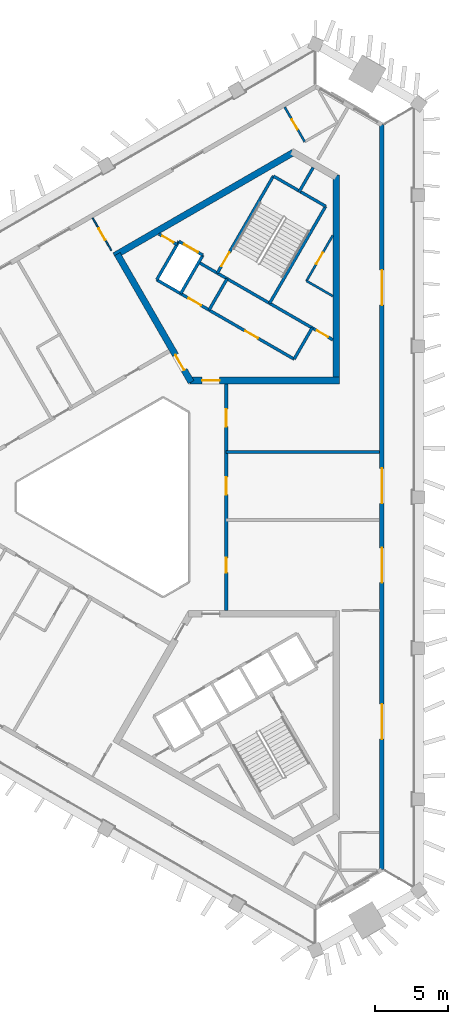
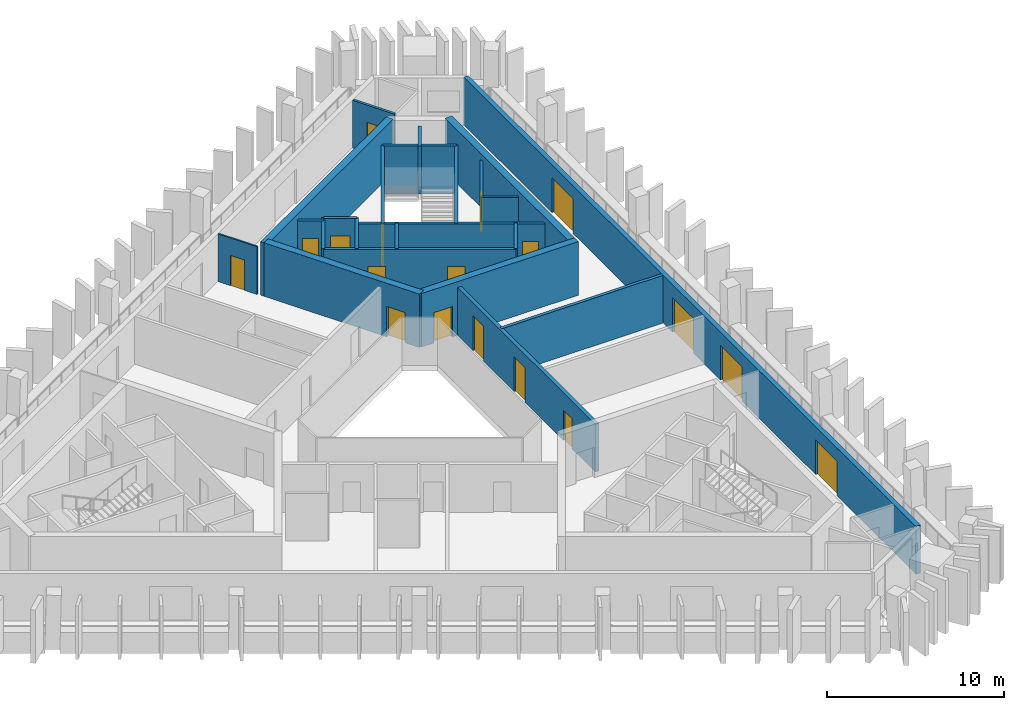
# One storey, part 5 of 9: 23 walls, 18 doors, 18 openings.
"""IFC4 building model written with IfcOpenShell, lengths in metres."""

from ifc_helpers import new_model, si_unit, direction, frame, frame_2d, origin, place, context, subcontext, project, spatial, rectangle, extrude, material, layer, layer_set, type_object, element, fill, save


model = new_model("IFC4")

# Units and contexts
model_context = context("Model", 3, precision=1e-05, world=origin(), true_north=direction((0.0, 1.0)))
body_context = subcontext(model_context, "Body", "Model", "MODEL_VIEW")
ifc_project = project(units=[si_unit("LENGTHUNIT", "METRE"), si_unit("AREAUNIT", "SQUARE_METRE"), si_unit("VOLUMEUNIT", "CUBIC_METRE"), si_unit("PLANEANGLEUNIT", "RADIAN"), si_unit("MASSUNIT", "GRAM", prefix="KILO")], contexts=[model_context])

# Site, building, storey
site_placement = place(None, origin())
site = spatial("IfcSite", under=ifc_project, at=site_placement, CompositionType="ELEMENT")
building_placement = place(site_placement, origin())
building = spatial("IfcBuilding", under=site, at=building_placement, Name="Jabali Bay Hotel Tower and Convention Centre", CompositionType="ELEMENT")
storey_placement = place(building_placement, frame((0.0, 0.0, 213.199951171875)))
storey = spatial("IfcBuildingStorey", under=building, at=storey_placement, Name="L52", CompositionType="ELEMENT", Elevation=213.199951171875)

# Wall
ifc_material_1 = material(Name="Concrete C40", Category="concrete")
ifc_layer_1 = layer(ifc_material_1, 0.199951171875)
ifc_layer_set_1 = layer_set([ifc_layer_1], Name="Concrete C40")
wall_type_1 = type_object("IfcWallType", Name="Core partition wall 200", PredefinedType="PARTITIONING", material=ifc_layer_set_1)
wall_1_placement = place(storey_placement, frame((87.090087890625, 100.9404296875, 0.0), z_axis=(0.0, 0.0, 1.0), x_axis=(0.500011643316, 0.866018681408, 0.0)))
element("IfcWall", 1, at=wall_1_placement, inside=storey, type_object=wall_type_1, Name="Core wall 1.3 L52", PredefinedType="PARTITIONING", context=body_context, shape_type="SweptSolid", body=[
    extrude(rectangle(XDim=1.97314453125, YDim=0.199951171875, at=frame_2d((0.986572265625, 0.0))), origin(), (0.0, 0.0, 1.0), 3.300048828125),
])

# Wall, opening, door
wall_2_placement = place(storey_placement, frame((78.730224609375, 97.36083984375, 0.0), z_axis=(0.0, 0.0, 1.0), x_axis=(-0.866045896294, 0.499964504253, 0.0)))
wall_2 = element("IfcWall", 2, at=wall_2_placement, inside=storey, type_object=wall_type_1, Name="Core wall 1.10 L52", PredefinedType="PARTITIONING", context=body_context, shape_type="SweptSolid", body=[
    extrude(rectangle(XDim=1.455078125, YDim=0.199951171875, at=frame_2d((0.7275390625, 0.0))), origin(), (0.0, 0.0, 1.0), 3.300048828125),
])
opening_1_placement = place(wall_2_placement, frame((0.277587890625, 0.0, 0.0)))
opening_1 = element("IfcOpeningElement", 3, at=opening_1_placement, cuts=wall_2, Name="Opening D1130", PredefinedType="OPENING", context=body_context, shape_type="SweptSolid", body=[
    extrude(rectangle(XDim=0.89990234375, YDim=2.10009765625, at=frame_2d((0.449951171875, 1.050048828125))), frame((0.0, 0.1103515625, 0.0), z_axis=(0.0, -1.0, 0.0), x_axis=(1.0, 0.0, 0.0)), (0.0, 0.0, 1.0), 0.220947265625),
])
ifc_material_2 = material(Name="Fire-rated steel door", Category="steel")
door_type_1 = type_object("IfcDoorType", Name="Vestibule fire door 900 x 2100", OperationType="NOTDEFINED", PredefinedType="NOTDEFINED", material=ifc_material_2)
door_1_placement = place(opening_1_placement, origin())
door_1 = element("IfcDoor", 4, at=door_1_placement, inside=storey, type_object=door_type_1, Name="Vestibule fire door D1130", OperationType="SINGLE_SWING_LEFT", OverallHeight=2.10009765625, OverallWidth=0.89990234375, PredefinedType="NOTDEFINED", context=body_context, shape_type="SweptSolid", body=[
    extrude(rectangle(XDim=0.89990234375, YDim=2.10009765625, at=frame_2d((0.449951171875, 1.050048828125))), frame((0.0, 0.02490234375, 0.0), z_axis=(0.0, -1.0, 0.0), x_axis=(1.0, 0.0, 0.0)), (0.0, 0.0, 1.0), 0.050048828125),
])
fill(opening_1, door_1)

ifc_material_3 = material(Name="Fire-rated board partition")
ifc_layer_2 = layer(ifc_material_3, 0.14990234375)
ifc_layer_set_2 = layer_set([ifc_layer_2], Name="Fire-rated board partition")
wall_type_2 = type_object("IfcWallType", Name="Core room partition 150", PredefinedType="PARTITIONING", material=ifc_layer_set_2)
wall_3_placement = place(storey_placement, frame((87.62109375, 94.8603515625, 0.0), z_axis=(0.0, 0.0, 1.0), x_axis=(0.499993116331, 0.866029378036, 0.0)))
wall_3 = element("IfcWall", 5, at=wall_3_placement, inside=storey, type_object=wall_type_2, Name="Core wall 1.1 L52", PredefinedType="PARTITIONING", context=body_context, shape_type="SweptSolid", body=[
    extrude(rectangle(XDim=3.61767578125, YDim=0.14990234375, at=frame_2d((1.808837890625, 0.0))), origin(), (0.0, 0.0, 1.0), 3.300048828125),
])
opening_2_placement = place(wall_3_placement, frame((1.33154296875, 0.0, 0.0)))
opening_2 = element("IfcOpeningElement", 6, at=opening_2_placement, cuts=wall_3, Name="Opening D1133", PredefinedType="OPENING", context=body_context, shape_type="SweptSolid", body=[
    extrude(rectangle(XDim=0.89990234375, YDim=2.10009765625, at=frame_2d((0.449951171875, 1.050048828125))), frame((0.0, 0.08544921875, 0.0), z_axis=(0.0, -1.0, 0.0), x_axis=(1.0, 0.0, 0.0)), (0.0, 0.0, 1.0), 0.1708984375),
])
door_type_2 = type_object("IfcDoorType", Name="Core room door 900 x 2100", OperationType="NOTDEFINED", PredefinedType="NOTDEFINED", material=ifc_material_2)
door_2_placement = place(opening_2_placement, origin())
door_2 = element("IfcDoor", 7, at=door_2_placement, inside=storey, type_object=door_type_2, Name="Core room door D1133", OperationType="SINGLE_SWING_LEFT", OverallHeight=2.10009765625, OverallWidth=0.89990234375, PredefinedType="NOTDEFINED", context=body_context, shape_type="SweptSolid", body=[
    extrude(rectangle(XDim=0.89990234375, YDim=2.10009765625, at=frame_2d((0.449951171875, 1.050048828125))), frame((0.0, 0.02490234375, 0.0), z_axis=(0.0, -1.0, 0.0), x_axis=(1.0, 0.0, 0.0)), (0.0, 0.0, 1.0), 0.050048828125),
])
fill(opening_2, door_2)

# Walls
wall_4_placement = place(storey_placement, frame((89.429931640625, 93.81591796875, 0.0), z_axis=(0.0, 0.0, 1.0), x_axis=(-0.866004557827, 0.500036104519, 0.0)))
element("IfcWall", 8, at=wall_4_placement, inside=storey, type_object=wall_type_2, Name="Core wall 1.12 L52", PredefinedType="PARTITIONING", context=body_context, shape_type="SweptSolid", body=[
    extrude(rectangle(XDim=2.088623046875, YDim=0.14990234375, at=frame_2d((1.04443359375, 0.0))), origin(), (0.0, 0.0, 1.0), 3.300048828125),
])
ifc_layer_3 = layer(ifc_material_1, 0.199951171875)
ifc_layer_set_3 = layer_set([ifc_layer_3], Name="Concrete C40")
wall_type_3 = type_object("IfcWallType", Name="Core stair wall 200", PredefinedType="SOLIDWALL", material=ifc_layer_set_3)
wall_5_placement = place(storey_placement, frame((86.769775390625, 89.48583984375, 0.0), z_axis=(0.0, 0.0, 1.0), x_axis=(0.499961042966, 0.86604789447, 0.0)))
element("IfcWall", 9, at=wall_5_placement, inside=storey, type_object=wall_type_3, Name="Core wall 1.0 L52", PredefinedType="SOLIDWALL", context=body_context, shape_type="SweptSolid", body=[
    extrude(rectangle(XDim=2.480224609375, YDim=0.199951171875, at=frame_2d((1.240234375, 0.0))), origin(), (0.0, 0.0, 1.0), 3.300048828125),
])
wall_6_placement = place(storey_placement, frame((85.0869140625, 93.3212890625, 0.0), z_axis=(0.0, 0.0, 1.0), x_axis=(0.500019787375, 0.866013979237, 0.0)))
element("IfcWall", 10, at=wall_6_placement, inside=storey, type_object=wall_type_3, Name="Core wall 1.2 L52", PredefinedType="SOLIDWALL", context=body_context, shape_type="SweptSolid", body=[
    extrude(rectangle(XDim=7.699951171875, YDim=0.199951171875, at=frame_2d((3.85009765625, 0.0))), origin(), (0.0, 0.0, 1.0), 3.300048828125),
])
wall_7_placement = place(storey_placement, frame((80.924072265625, 92.86083984375, 0.0), z_axis=(0.0, 0.0, 1.0), x_axis=(0.499961042966, 0.86604789447, 0.0)))
element("IfcWall", 11, at=wall_7_placement, inside=storey, type_object=wall_type_3, Name="Core wall 1.4 L52", PredefinedType="SOLIDWALL", context=body_context, shape_type="SweptSolid", body=[
    extrude(rectangle(XDim=2.480224609375, YDim=0.199951171875, at=frame_2d((1.240234375, 0.0))), origin(), (0.0, 0.0, 1.0), 3.300048828125),
])

# Wall, opening, door
wall_8_placement = place(storey_placement, frame((81.492919921875, 95.396240234375, 0.0), z_axis=(0.0, 0.0, 1.0), x_axis=(0.500006057782, 0.866021906294, 0.0)))
wall_8 = element("IfcWall", 12, at=wall_8_placement, inside=storey, type_object=wall_type_3, Name="Core wall 1.5 L52", PredefinedType="SOLIDWALL", context=body_context, shape_type="SweptSolid", body=[
    extrude(rectangle(XDim=7.7001953125, YDim=0.199951171875, at=frame_2d((3.85009765625, 0.0))), origin(), (0.0, 0.0, 1.0), 3.300048828125),
])
opening_3_placement = place(wall_8_placement, frame((0.550048828125, 0.0, 0.0)))
opening_3 = element("IfcOpeningElement", 13, at=opening_3_placement, cuts=wall_8, Name="Opening D1132", PredefinedType="OPENING", context=body_context, shape_type="SweptSolid", body=[
    extrude(rectangle(XDim=1.10009765625, YDim=2.10009765625, at=frame_2d((0.550048828125, 1.050048828125))), frame((0.0, 0.1103515625, 0.0), z_axis=(0.0, -1.0, 0.0), x_axis=(1.0, 0.0, 0.0)), (0.0, 0.0, 1.0), 0.220947265625),
])
door_type_3 = type_object("IfcDoorType", Name="Stair fire door 1100 x 2100", OperationType="NOTDEFINED", PredefinedType="NOTDEFINED", material=ifc_material_2)
door_3_placement = place(opening_3_placement, origin())
door_3 = element("IfcDoor", 14, at=door_3_placement, inside=storey, type_object=door_type_3, Name="Stair fire door D1132", OperationType="SINGLE_SWING_RIGHT", OverallHeight=2.10009765625, OverallWidth=1.10009765625, PredefinedType="NOTDEFINED", context=body_context, shape_type="SweptSolid", body=[
    extrude(rectangle(XDim=1.10009765625, YDim=2.10009765625, at=frame_2d((0.550048828125, 1.050048828125))), frame((0.0, 0.02490234375, 0.0), z_axis=(0.0, -1.0, 0.0), x_axis=(1.0, 0.0, 0.0)), (0.0, 0.0, 1.0), 0.050048828125),
])
fill(opening_3, door_3)

# Walls
for number, where, z_axis, x_axis, name in (
    (15, (78.9755859375, 93.98583984375, 0.0), (0.0, 0.0, 1.0), (0.499944174705, 0.866057632134, 0.0), "Core wall 1.6 L52"),
    (16, (77.330078125, 94.93603515625, 0.0), (0.0, 0.0, 1.0), (0.500038867431, 0.8660029625, 0.0), "Core wall 1.7 L52"),
):
    element("IfcWall", number, at=place(storey_placement, frame(where, z_axis=z_axis, x_axis=x_axis)), inside=storey, type_object=wall_type_3, Name=name, PredefinedType="SOLIDWALL", context=body_context, shape_type="SweptSolid", body=[
        extrude(rectangle(XDim=3.050048828125, YDim=0.199951171875, at=frame_2d((1.52490234375, 0.0))), origin(), (0.0, 0.0, 1.0), 3.300048828125),
    ])

# Wall, openings, doors
wall_9_placement = place(storey_placement, frame((86.769775390625, 89.48583984375, 0.0), z_axis=(0.0, 0.0, 1.0), x_axis=(-0.86601811187, 0.500012629753, 0.0)))
wall_9 = element("IfcWall", 17, at=wall_9_placement, inside=storey, type_object=wall_type_3, Name="Core wall 1.8 L52", PredefinedType="SOLIDWALL", context=body_context, shape_type="SweptSolid", body=[
    extrude(rectangle(XDim=10.900146484375, YDim=0.199951171875, at=frame_2d((5.4501953125, 0.0))), origin(), (0.0, 0.0, 1.0), 3.300048828125),
])
opening_4_placement = place(wall_9_placement, frame((2.875, 0.0, 0.0)))
opening_4 = element("IfcOpeningElement", 18, at=opening_4_placement, cuts=wall_9, Name="Opening D1128", PredefinedType="OPENING", context=body_context, shape_type="SweptSolid", body=[
    extrude(rectangle(XDim=1.0, YDim=2.10009765625, at=frame_2d((0.5, 1.050048828125))), frame((0.0, 0.1103515625, 0.0), z_axis=(0.0, -1.0, 0.0), x_axis=(1.0, 0.0, 0.0)), (0.0, 0.0, 1.0), 0.220947265625),
])
opening_5_placement = place(wall_9_placement, frame((7.375, 0.0, 0.0)))
opening_5 = element("IfcOpeningElement", 19, at=opening_5_placement, cuts=wall_9, Name="Opening D1129", PredefinedType="OPENING", context=body_context, shape_type="SweptSolid", body=[
    extrude(rectangle(XDim=1.0, YDim=2.10009765625, at=frame_2d((0.5, 1.050048828125))), frame((0.0, 0.1103515625, 0.0), z_axis=(0.0, -1.0, 0.0), x_axis=(1.0, 0.0, 0.0)), (0.0, 0.0, 1.0), 0.220947265625),
])
door_type_4 = type_object("IfcDoorType", Name="Core room door 1000 x 2100", OperationType="NOTDEFINED", PredefinedType="NOTDEFINED", material=ifc_material_2)
door_4_placement = place(opening_4_placement, origin())
door_4 = element("IfcDoor", 20, at=door_4_placement, inside=storey, type_object=door_type_4, Name="Core room door D1128", OperationType="SINGLE_SWING_RIGHT", OverallHeight=2.10009765625, OverallWidth=1.0, PredefinedType="NOTDEFINED", context=body_context, shape_type="SweptSolid", body=[
    extrude(rectangle(XDim=1.0, YDim=2.10009765625, at=frame_2d((0.5, 1.050048828125))), frame((0.0, 0.02490234375, 0.0), z_axis=(0.0, -1.0, 0.0), x_axis=(1.0, 0.0, 0.0)), (0.0, 0.0, 1.0), 0.050048828125),
])
fill(opening_4, door_4)
door_5_placement = place(opening_5_placement, origin())
door_5 = element("IfcDoor", 21, at=door_5_placement, inside=storey, type_object=door_type_4, Name="Core room door D1129", OperationType="SINGLE_SWING_RIGHT", OverallHeight=2.10009765625, OverallWidth=1.0, PredefinedType="NOTDEFINED", context=body_context, shape_type="SweptSolid", body=[
    extrude(rectangle(XDim=1.0, YDim=2.10009765625, at=frame_2d((0.5, 1.050048828125))), frame((0.0, 0.02490234375, 0.0), z_axis=(0.0, -1.0, 0.0), x_axis=(1.0, 0.0, 0.0)), (0.0, 0.0, 1.0), 0.050048828125),
])
fill(opening_5, door_5)

# Wall, opening, door
wall_10_placement = place(storey_placement, frame((89.429931640625, 90.813720703125, 0.0), z_axis=(0.0, 0.0, 1.0), x_axis=(-0.866018983788, 0.500011119594, 0.0)))
wall_10 = element("IfcWall", 22, at=wall_10_placement, inside=storey, type_object=wall_type_3, Name="Core wall 1.9 L52", PredefinedType="SOLIDWALL", context=body_context, shape_type="SweptSolid", body=[
    extrude(rectangle(XDim=10.639892578125, YDim=0.199951171875, at=frame_2d((5.31982421875, 0.0))), origin(), (0.0, 0.0, 1.0), 3.300048828125),
])
opening_6_placement = place(wall_10_placement, frame((0.369873046875, 0.0, 0.0)))
opening_6 = element("IfcOpeningElement", 23, at=opening_6_placement, cuts=wall_10, Name="Opening D1131", PredefinedType="OPENING", context=body_context, shape_type="SweptSolid", body=[
    extrude(rectangle(XDim=0.89990234375, YDim=2.10009765625, at=frame_2d((0.449951171875, 1.050048828125))), frame((0.0, 0.1103515625, 0.0), z_axis=(0.0, -1.0, 0.0), x_axis=(1.0, 0.0, 0.0)), (0.0, 0.0, 1.0), 0.220947265625),
])
door_6_placement = place(opening_6_placement, origin())
door_6 = element("IfcDoor", 24, at=door_6_placement, inside=storey, type_object=door_type_1, Name="Vestibule fire door D1131", OperationType="SINGLE_SWING_LEFT", OverallHeight=2.10009765625, OverallWidth=0.89990234375, PredefinedType="NOTDEFINED", context=body_context, shape_type="SweptSolid", body=[
    extrude(rectangle(XDim=0.89990234375, YDim=2.10009765625, at=frame_2d((0.449951171875, 1.050048828125))), frame((0.0, 0.02490234375, 0.0), z_axis=(0.0, -1.0, 0.0), x_axis=(1.0, 0.0, 0.0)), (0.0, 0.0, 1.0), 0.050048828125),
])
fill(opening_6, door_6)

wall_11_placement = place(storey_placement, frame((80.50048828125, 96.62744140625, 0.0), z_axis=(0.0, 0.0, 1.0), x_axis=(-0.86601224135, 0.500022797313, 0.0)))
wall_11 = element("IfcWall", 25, at=wall_11_placement, inside=storey, type_object=wall_type_3, Name="Core wall 1.11 L52", PredefinedType="SOLIDWALL", context=body_context, shape_type="SweptSolid", body=[
    extrude(rectangle(XDim=1.89990234375, YDim=0.199951171875, at=frame_2d((0.949951171875, 0.0))), origin(), (0.0, 0.0, 1.0), 3.300048828125),
])
opening_7_placement = place(wall_11_placement, frame((0.39990234375, 0.0, 0.0)))
opening_7 = element("IfcOpeningElement", 26, at=opening_7_placement, cuts=wall_11, Name="Opening LD10-L52", PredefinedType="OPENING", context=body_context, shape_type="SweptSolid", body=[
    extrude(rectangle(XDim=1.10009765625, YDim=2.10009765625, at=frame_2d((0.550048828125, 1.050048828125))), frame((0.0, 0.1103515625, 0.0), z_axis=(0.0, -1.0, 0.0), x_axis=(1.0, 0.0, 0.0)), (0.0, 0.0, 1.0), 0.220947265625),
])
ifc_material_4 = material(Name="Stainless steel landing door", Category="steel")
door_type_5 = type_object("IfcDoorType", Name="Landing door 1100 x 2100", OperationType="NOTDEFINED", PredefinedType="NOTDEFINED", material=ifc_material_4)
door_7_placement = place(opening_7_placement, origin())
door_7 = element("IfcDoor", 27, at=door_7_placement, inside=storey, type_object=door_type_5, Name="Landing doors LD10-L52", OperationType="SLIDING_TO_RIGHT", OverallHeight=2.10009765625, OverallWidth=1.10009765625, PredefinedType="NOTDEFINED", context=body_context, shape_type="SweptSolid", body=[
    extrude(rectangle(XDim=1.10009765625, YDim=2.10009765625, at=frame_2d((0.550048828125, 1.050048828125))), frame((0.0, 0.02490234375, 0.0), z_axis=(0.0, -1.0, 0.0), x_axis=(1.0, 0.0, 0.0)), (0.0, 0.0, 1.0), 0.050048828125),
])
fill(opening_7, door_7)

# Wall
wall_12_placement = place(storey_placement, frame((88.93701171875, 99.989501953125, 0.0), z_axis=(0.0, 0.0, 1.0), x_axis=(-0.866004344652, 0.500036473714, 0.0)))
element("IfcWall", 28, at=wall_12_placement, inside=storey, type_object=wall_type_3, Name="Core wall 1.13 L52", PredefinedType="SOLIDWALL", context=body_context, shape_type="SweptSolid", body=[
    extrude(rectangle(XDim=4.150146484375, YDim=0.199951171875, at=frame_2d((2.0751953125, 0.0))), origin(), (0.0, 0.0, 1.0), 3.300048828125),
])

# Wall, opening, door
ifc_material_5 = material(Name="Concrete C60", Category="concrete")
ifc_layer_4 = layer(ifc_material_5, 0.449951171875)
ifc_layer_set_4 = layer_set([ifc_layer_4], Name="Concrete C60")
wall_type_4 = type_object("IfcWallType", Name="Core wall 450", PredefinedType="SHEAR", material=ifc_layer_set_4)
wall_13_placement = place(storey_placement, frame((79.6298828125, 88.019287109375, 0.0), z_axis=(0.0, 0.0, 1.0), x_axis=(1.0, 0.0, 0.0)))
wall_13 = element("IfcWall", 29, at=wall_13_placement, inside=storey, type_object=wall_type_4, Name="Core wall 2.1 L52", PredefinedType="SHEAR", context=body_context, shape_type="SweptSolid", body=[
    extrude(rectangle(XDim=10.25, YDim=0.449951171875, at=frame_2d((5.125, 0.0))), origin(), (0.0, 0.0, 1.0), 3.699951171875),
])
opening_8_placement = place(wall_13_placement, frame((0.820068359375, 0.0, 0.0)))
opening_8 = element("IfcOpeningElement", 30, at=opening_8_placement, cuts=wall_13, Name="Opening D1126", PredefinedType="OPENING", context=body_context, shape_type="SweptSolid", body=[
    extrude(rectangle(XDim=1.199951171875, YDim=2.10009765625, at=frame_2d((0.60009765625, 1.050048828125))), frame((0.0, 0.2353515625, 0.0), z_axis=(0.0, -1.0, 0.0), x_axis=(1.0, 0.0, 0.0)), (0.0, 0.0, 1.0), 0.470947265625),
])
door_type_6 = type_object("IfcDoorType", Name="Corridor end fire door 1200 x 2100", OperationType="NOTDEFINED", PredefinedType="NOTDEFINED", material=ifc_material_2)
door_8_placement = place(opening_8_placement, origin())
door_8 = element("IfcDoor", 31, at=door_8_placement, inside=storey, type_object=door_type_6, Name="Corridor end fire door D1126", OperationType="SINGLE_SWING_RIGHT", OverallHeight=2.10009765625, OverallWidth=1.199951171875, PredefinedType="NOTDEFINED", context=body_context, shape_type="SweptSolid", body=[
    extrude(rectangle(XDim=1.199951171875, YDim=2.10009765625, at=frame_2d((0.60009765625, 1.050048828125))), frame((0.0, 0.02490234375, 0.0), z_axis=(0.0, -1.0, 0.0), x_axis=(1.0, 0.0, 0.0)), (0.0, 0.0, 1.0), 0.050048828125),
])
fill(opening_8, door_8)

# Walls
wall_14_placement = place(storey_placement, frame((89.655029296875, 88.019287109375, 0.0), z_axis=(0.0, 0.0, 1.0), x_axis=(0.0, 1.0, 0.0)))
element("IfcWall", 32, at=wall_14_placement, inside=storey, type_object=wall_type_4, Name="Core wall 2.2 L52", PredefinedType="SHEAR", context=body_context, shape_type="SweptSolid", body=[
    extrude(rectangle(XDim=14.1083984375, YDim=0.449951171875, at=frame_2d((7.05419921875, 0.0))), origin(), (0.0, 0.0, 1.0), 3.699951171875),
])
wall_15_placement = place(storey_placement, frame((86.72314453125, 103.6904296875, 0.0), z_axis=(0.0, 0.0, 1.0), x_axis=(-0.866022713978, -0.500004658852, 0.0)))
element("IfcWall", 33, at=wall_15_placement, inside=storey, type_object=wall_type_4, Name="Core wall 2.4 L52", PredefinedType="SHEAR", context=body_context, shape_type="SweptSolid", body=[
    extrude(rectangle(XDim=14.203369140625, YDim=0.449951171875, at=frame_2d((7.1015625, 0.0))), origin(), (0.0, 0.0, 1.0), 3.699951171875),
])

# Wall, opening, door
wall_16_placement = place(storey_placement, frame((74.617431640625, 96.701171875, 0.0), z_axis=(0.0, 0.0, 1.0), x_axis=(0.499994385119, -0.866028645513, 0.0)))
wall_16 = element("IfcWall", 34, at=wall_16_placement, inside=storey, type_object=wall_type_4, Name="Core wall 2.5 L52", PredefinedType="SHEAR", context=body_context, shape_type="SweptSolid", body=[
    extrude(rectangle(XDim=10.15478515625, YDim=0.449951171875, at=frame_2d((5.077392578125, 0.0))), origin(), (0.0, 0.0, 1.0), 3.699951171875),
])
opening_9_placement = place(wall_16_placement, frame((8.0048828125, 0.0, 0.0)))
opening_9 = element("IfcOpeningElement", 35, at=opening_9_placement, cuts=wall_16, Name="Opening D1127", PredefinedType="OPENING", context=body_context, shape_type="SweptSolid", body=[
    extrude(rectangle(XDim=1.199951171875, YDim=2.10009765625, at=frame_2d((0.60009765625, 1.050048828125))), frame((0.0, 0.2353515625, 0.0), z_axis=(0.0, -1.0, 0.0), x_axis=(1.0, 0.0, 0.0)), (0.0, 0.0, 1.0), 0.470947265625),
])
door_9_placement = place(opening_9_placement, origin())
door_9 = element("IfcDoor", 36, at=door_9_placement, inside=storey, type_object=door_type_6, Name="Corridor end fire door D1127", OperationType="SINGLE_SWING_LEFT", OverallHeight=2.10009765625, OverallWidth=1.199951171875, PredefinedType="NOTDEFINED", context=body_context, shape_type="SweptSolid", body=[
    extrude(rectangle(XDim=1.199951171875, YDim=2.10009765625, at=frame_2d((0.60009765625, 1.050048828125))), frame((0.0, 0.02490234375, 0.0), z_axis=(0.0, -1.0, 0.0), x_axis=(1.0, 0.0, 0.0)), (0.0, 0.0, 1.0), 0.050048828125),
])
fill(opening_9, door_9)

# Wall, openings, doors
ifc_layer_5 = layer(ifc_material_5, 0.25)
ifc_layer_set_5 = layer_set([ifc_layer_5], Name="Concrete C60")
wall_type_5 = type_object("IfcWallType", Name="Corridor wall 250", PredefinedType="SHEAR", material=ifc_layer_set_5)
wall_17_placement = place(storey_placement, frame((82.10009765625, 72.205810546875, 0.0), z_axis=(0.0, 0.0, 1.0), x_axis=(0.0, 1.0, 0.0)))
wall_17 = element("IfcWall", 37, at=wall_17_placement, inside=storey, type_object=wall_type_5, Name="Corridor wall 1 L52", PredefinedType="SHEAR", context=body_context, shape_type="SweptSolid", body=[
    extrude(rectangle(XDim=15.58837890625, YDim=0.25, at=frame_2d((7.794189453125, 0.0))), origin(), (0.0, 0.0, 1.0), 3.300048828125),
])
opening_10_placement = place(wall_17_placement, frame((2.61767578125, 0.0, 0.0)))
opening_10 = element("IfcOpeningElement", 38, at=opening_10_placement, cuts=wall_17, Name="Opening 5201", PredefinedType="OPENING", context=body_context, shape_type="SweptSolid", body=[
    extrude(rectangle(XDim=1.0, YDim=2.10009765625, at=frame_2d((0.5, 1.050048828125))), frame((0.0, 0.135498046875, 0.0), z_axis=(0.0, -1.0, 0.0), x_axis=(1.0, 0.0, 0.0)), (0.0, 0.0, 1.0), 0.27099609375),
])
opening_11_placement = place(wall_17_placement, frame((7.9736328125, 0.0, 0.0)))
opening_11 = element("IfcOpeningElement", 39, at=opening_11_placement, cuts=wall_17, Name="Opening 5204", PredefinedType="OPENING", context=body_context, shape_type="SweptSolid", body=[
    extrude(rectangle(XDim=1.199951171875, YDim=2.39990234375, at=frame_2d((0.60009765625, 1.199951171875))), frame((0.0, 0.135498046875, 0.0), z_axis=(0.0, -1.0, 0.0), x_axis=(1.0, 0.0, 0.0)), (0.0, 0.0, 1.0), 0.27099609375),
])
opening_12_placement = place(wall_17_placement, frame((12.650146484375, 0.0, 0.0)))
opening_12 = element("IfcOpeningElement", 40, at=opening_12_placement, cuts=wall_17, Name="Opening 5205", PredefinedType="OPENING", context=body_context, shape_type="SweptSolid", body=[
    extrude(rectangle(XDim=1.199951171875, YDim=2.39990234375, at=frame_2d((0.60009765625, 1.199951171875))), frame((0.0, 0.135498046875, 0.0), z_axis=(0.0, -1.0, 0.0), x_axis=(1.0, 0.0, 0.0)), (0.0, 0.0, 1.0), 0.27099609375),
])
ifc_material_6 = material(Name="Timber", Category="wood")
door_type_7 = type_object("IfcDoorType", Name="Guest room door 1000 x 2100", OperationType="NOTDEFINED", PredefinedType="NOTDEFINED", material=ifc_material_6)
door_10_placement = place(opening_10_placement, origin())
door_10 = element("IfcDoor", 41, at=door_10_placement, inside=storey, type_object=door_type_7, Name="Door 5201", OperationType="SINGLE_SWING_LEFT", OverallHeight=2.10009765625, OverallWidth=1.0, PredefinedType="NOTDEFINED", context=body_context, shape_type="SweptSolid", body=[
    extrude(rectangle(XDim=1.0, YDim=2.10009765625, at=frame_2d((0.5, 1.050048828125))), frame((0.0, 0.02490234375, 0.0), z_axis=(0.0, -1.0, 0.0), x_axis=(1.0, 0.0, 0.0)), (0.0, 0.0, 1.0), 0.050048828125),
])
fill(opening_10, door_10)
door_type_8 = type_object("IfcDoorType", Name="Public room door 1200 x 2400", OperationType="NOTDEFINED", PredefinedType="NOTDEFINED", material=ifc_material_6)
door_11_placement = place(opening_11_placement, origin())
door_11 = element("IfcDoor", 42, at=door_11_placement, inside=storey, type_object=door_type_8, Name="Door 5204", OperationType="SINGLE_SWING_RIGHT", OverallHeight=2.39990234375, OverallWidth=1.199951171875, PredefinedType="NOTDEFINED", context=body_context, shape_type="SweptSolid", body=[
    extrude(rectangle(XDim=1.199951171875, YDim=2.39990234375, at=frame_2d((0.60009765625, 1.199951171875))), frame((0.0, 0.02490234375, 0.0), z_axis=(0.0, -1.0, 0.0), x_axis=(1.0, 0.0, 0.0)), (0.0, 0.0, 1.0), 0.050048828125),
])
fill(opening_11, door_11)
door_12_placement = place(opening_12_placement, origin())
door_12 = element("IfcDoor", 43, at=door_12_placement, inside=storey, type_object=door_type_8, Name="Door 5205", OperationType="SINGLE_SWING_RIGHT", OverallHeight=2.39990234375, OverallWidth=1.199951171875, PredefinedType="NOTDEFINED", context=body_context, shape_type="SweptSolid", body=[
    extrude(rectangle(XDim=1.199951171875, YDim=2.39990234375, at=frame_2d((0.60009765625, 1.199951171875))), frame((0.0, 0.02490234375, 0.0), z_axis=(0.0, -1.0, 0.0), x_axis=(1.0, 0.0, 0.0)), (0.0, 0.0, 1.0), 0.050048828125),
])
fill(opening_12, door_12)

ifc_layer_6 = layer(ifc_material_1, 0.300048828125)
ifc_layer_set_6 = layer_set([ifc_layer_6], Name="Concrete C40")
wall_type_6 = type_object("IfcWallType", Name="External wall 300", PredefinedType="SOLIDWALL", material=ifc_layer_set_6)
wall_18_placement = place(storey_placement, frame((92.80126953125, 105.595703125, 0.0), z_axis=(0.0, 0.0, 1.0), x_axis=(0.0, -1.0, 0.0)))
wall_18 = element("IfcWall", 44, at=wall_18_placement, inside=storey, type_object=wall_type_6, Name="External wall east face L52", PredefinedType="SOLIDWALL", context=body_context, shape_type="SweptSolid", body=[
    extrude(rectangle(XDim=51.19140625, YDim=0.300048828125, at=frame_2d((25.595703125, 0.0))), origin(), (0.0, 0.0, 1.0), 3.300048828125),
])
opening_13_placement = place(wall_18_placement, frame((9.995849609375, 0.0, 0.0)))
opening_13 = element("IfcOpeningElement", 45, at=opening_13_placement, cuts=wall_18, Name="Opening SD1", PredefinedType="OPENING", context=body_context, shape_type="SweptSolid", body=[
    extrude(rectangle(XDim=2.39990234375, YDim=2.39990234375, at=frame_2d((1.199951171875, 1.199951171875))), frame((0.0, 0.16064453125, 0.0), z_axis=(0.0, -1.0, 0.0), x_axis=(1.0, 0.0, 0.0)), (0.0, 0.0, 1.0), 0.321044921875),
])
opening_14_placement = place(wall_18_placement, frame((29.072265625, 0.0, 0.0)))
opening_14 = element("IfcOpeningElement", 46, at=opening_14_placement, cuts=wall_18, Name="Opening SD1", PredefinedType="OPENING", context=body_context, shape_type="SweptSolid", body=[
    extrude(rectangle(XDim=2.39990234375, YDim=2.39990234375, at=frame_2d((1.199951171875, 1.199951171875))), frame((0.0, 0.16064453125, 0.0), z_axis=(0.0, -1.0, 0.0), x_axis=(1.0, 0.0, 0.0)), (0.0, 0.0, 1.0), 0.321044921875),
])
opening_15_placement = place(wall_18_placement, frame((39.8193359375, 0.0, 0.0)))
opening_15 = element("IfcOpeningElement", 47, at=opening_15_placement, cuts=wall_18, Name="Opening SD1", PredefinedType="OPENING", context=body_context, shape_type="SweptSolid", body=[
    extrude(rectangle(XDim=2.39990234375, YDim=2.39990234375, at=frame_2d((1.199951171875, 1.199951171875))), frame((0.0, 0.16064453125, 0.0), z_axis=(0.0, -1.0, 0.0), x_axis=(1.0, 0.0, 0.0)), (0.0, 0.0, 1.0), 0.321044921875),
])
opening_16_placement = place(wall_18_placement, frame((23.616455078125, 0.0, 0.0)))
opening_16 = element("IfcOpeningElement", 48, at=opening_16_placement, cuts=wall_18, Name="Opening SD1", PredefinedType="OPENING", context=body_context, shape_type="SweptSolid", body=[
    extrude(rectangle(XDim=2.39990234375, YDim=2.39990234375, at=frame_2d((1.199951171875, 1.199951171875))), frame((0.0, 0.16064453125, 0.0), z_axis=(0.0, -1.0, 0.0), x_axis=(1.0, 0.0, 0.0)), (0.0, 0.0, 1.0), 0.321044921875),
])
ifc_material_7 = material(Name="Glass", Category="glass")
door_type_9 = type_object("IfcDoorType", Name="Loggia sliding door 2400 x 2400", OperationType="NOTDEFINED", PredefinedType="NOTDEFINED", material=ifc_material_7)
door_13_placement = place(opening_13_placement, origin())
door_13 = element("IfcDoor", 49, at=door_13_placement, inside=storey, type_object=door_type_9, Name="Loggia sliding door 5202", OperationType="SLIDING_TO_LEFT", OverallHeight=2.39990234375, OverallWidth=2.39990234375, PredefinedType="NOTDEFINED", context=body_context, shape_type="SweptSolid", body=[
    extrude(rectangle(XDim=2.39990234375, YDim=2.39990234375, at=frame_2d((1.199951171875, 1.199951171875))), frame((0.0, 0.02490234375, 0.0), z_axis=(0.0, -1.0, 0.0), x_axis=(1.0, 0.0, 0.0)), (0.0, 0.0, 1.0), 0.050048828125),
])
fill(opening_13, door_13)
door_14_placement = place(opening_14_placement, origin())
door_14 = element("IfcDoor", 50, at=door_14_placement, inside=storey, type_object=door_type_9, Name="Loggia sliding door 5201", OperationType="SLIDING_TO_RIGHT", OverallHeight=2.39990234375, OverallWidth=2.39990234375, PredefinedType="NOTDEFINED", context=body_context, shape_type="SweptSolid", body=[
    extrude(rectangle(XDim=2.39990234375, YDim=2.39990234375, at=frame_2d((1.199951171875, 1.199951171875))), frame((0.0, 0.02490234375, 0.0), z_axis=(0.0, -1.0, 0.0), x_axis=(1.0, 0.0, 0.0)), (0.0, 0.0, 1.0), 0.050048828125),
])
fill(opening_14, door_14)
door_15_placement = place(opening_15_placement, origin())
door_15 = element("IfcDoor", 51, at=door_15_placement, inside=storey, type_object=door_type_9, Name="Loggia sliding door 5201", OperationType="SLIDING_TO_LEFT", OverallHeight=2.39990234375, OverallWidth=2.39990234375, PredefinedType="NOTDEFINED", context=body_context, shape_type="SweptSolid", body=[
    extrude(rectangle(XDim=2.39990234375, YDim=2.39990234375, at=frame_2d((1.199951171875, 1.199951171875))), frame((0.0, 0.02490234375, 0.0), z_axis=(0.0, -1.0, 0.0), x_axis=(1.0, 0.0, 0.0)), (0.0, 0.0, 1.0), 0.050048828125),
])
fill(opening_15, door_15)
door_16_placement = place(opening_16_placement, origin())
door_16 = element("IfcDoor", 52, at=door_16_placement, inside=storey, type_object=door_type_9, Name="Loggia sliding door", OperationType="SLIDING_TO_RIGHT", OverallHeight=2.39990234375, OverallWidth=2.39990234375, PredefinedType="NOTDEFINED", context=body_context, shape_type="SweptSolid", body=[
    extrude(rectangle(XDim=2.39990234375, YDim=2.39990234375, at=frame_2d((1.199951171875, 1.199951171875))), frame((0.0, 0.02490234375, 0.0), z_axis=(0.0, -1.0, 0.0), x_axis=(1.0, 0.0, 0.0)), (0.0, 0.0, 1.0), 0.050048828125),
])
fill(opening_16, door_16)

# Wall, opening, door
ifc_material_8 = material(Name="Plasterboard on steel stud", Category="steel")
ifc_layer_7 = layer(ifc_material_8, 0.10009765625)
ifc_layer_set_7 = layer_set([ifc_layer_7], Name="Plasterboard on steel stud")
wall_type_7 = type_object("IfcWallType", Name="Partition 100 unit", PredefinedType="PARTITIONING", material=ifc_layer_set_7)
wall_19_placement = place(storey_placement, frame((74.21044921875, 96.955810546875, 0.0), z_axis=(0.0, 0.0, 1.0), x_axis=(-0.49995513091, 0.866051307416, 0.0)))
wall_19 = element("IfcWall", 53, at=wall_19_placement, inside=storey, type_object=wall_type_7, Name="Partition P02 L52 009", PredefinedType="PARTITIONING", context=body_context, shape_type="SweptSolid", body=[
    extrude(rectangle(XDim=2.573486328125, YDim=0.10009765625, at=frame_2d((1.28662109375, 0.0))), origin(), (0.0, 0.0, 1.0), 3.300048828125),
])
opening_17_placement = place(wall_19_placement, frame((0.8369140625, 0.0, 0.0)))
opening_17 = element("IfcOpeningElement", 54, at=opening_17_placement, cuts=wall_19, Name="Opening 5207", PredefinedType="OPENING", context=body_context, shape_type="SweptSolid", body=[
    extrude(rectangle(XDim=0.89990234375, YDim=2.10009765625, at=frame_2d((0.449951171875, 1.050048828125))), frame((0.0, 0.060546875, 0.0), z_axis=(0.0, -1.0, 0.0), x_axis=(1.0, 0.0, 0.0)), (0.0, 0.0, 1.0), 0.12109375),
])
door_type_10 = type_object("IfcDoorType", Name="Internal door 900 x 2100", OperationType="NOTDEFINED", PredefinedType="NOTDEFINED", material=ifc_material_6)
door_17_placement = place(opening_17_placement, origin())
door_17 = element("IfcDoor", 55, at=door_17_placement, inside=storey, type_object=door_type_10, Name="Door 5207", OperationType="SINGLE_SWING_RIGHT", OverallHeight=2.10009765625, OverallWidth=0.89990234375, PredefinedType="NOTDEFINED", context=body_context, shape_type="SweptSolid", body=[
    extrude(rectangle(XDim=0.89990234375, YDim=2.10009765625, at=frame_2d((0.449951171875, 1.050048828125))), frame((0.0, 0.02490234375, 0.0), z_axis=(0.0, -1.0, 0.0), x_axis=(1.0, 0.0, 0.0)), (0.0, 0.0, 1.0), 0.050048828125),
])
fill(opening_17, door_17)

ifc_layer_8 = layer(ifc_material_8, 0.14990234375)
ifc_layer_set_8 = layer_set([ifc_layer_8], Name="Plasterboard on steel stud")
wall_type_8 = type_object("IfcWallType", Name="Partition 150 wet", PredefinedType="PARTITIONING", material=ifc_layer_set_8)
wall_20_placement = place(storey_placement, frame((87.498046875, 104.422607421875, 0.0), z_axis=(0.0, 0.0, 1.0), x_axis=(-0.499947816978, 0.86605552957, 0.0)))
wall_20 = element("IfcWall", 56, at=wall_20_placement, inside=storey, type_object=wall_type_8, Name="Partition P03 L52 013", PredefinedType="PARTITIONING", context=body_context, shape_type="SweptSolid", body=[
    extrude(rectangle(XDim=2.750732421875, YDim=0.14990234375, at=frame_2d((1.37548828125, 0.0))), origin(), (0.0, 0.0, 1.0), 3.300048828125),
])
opening_18_placement = place(wall_20_placement, frame((0.97509765625, 0.0, 0.0)))
opening_18 = element("IfcOpeningElement", 57, at=opening_18_placement, cuts=wall_20, Name="Opening 5208", PredefinedType="OPENING", context=body_context, shape_type="SweptSolid", body=[
    extrude(rectangle(XDim=0.800048828125, YDim=2.10009765625, at=frame_2d((0.39990234375, 1.050048828125))), frame((0.0, 0.08544921875, 0.0), z_axis=(0.0, -1.0, 0.0), x_axis=(1.0, 0.0, 0.0)), (0.0, 0.0, 1.0), 0.1708984375),
])
door_type_11 = type_object("IfcDoorType", Name="En-suite door 800 x 2100", OperationType="NOTDEFINED", PredefinedType="NOTDEFINED", material=ifc_material_6)
door_18_placement = place(opening_18_placement, origin())
door_18 = element("IfcDoor", 58, at=door_18_placement, inside=storey, type_object=door_type_11, Name="Door 5208", OperationType="SINGLE_SWING_RIGHT", OverallHeight=2.10009765625, OverallWidth=0.800048828125, PredefinedType="NOTDEFINED", context=body_context, shape_type="SweptSolid", body=[
    extrude(rectangle(XDim=0.800048828125, YDim=2.10009765625, at=frame_2d((0.39990234375, 1.050048828125))), frame((0.0, 0.02490234375, 0.0), z_axis=(0.0, -1.0, 0.0), x_axis=(1.0, 0.0, 0.0)), (0.0, 0.0, 1.0), 0.050048828125),
])
fill(opening_18, door_18)

# Wall
ifc_layer_9 = layer(ifc_material_8, 0.199951171875)
ifc_layer_set_9 = layer_set([ifc_layer_9], Name="Plasterboard on steel stud")
wall_type_9 = type_object("IfcWallType", Name="Partition 200 party", PredefinedType="PARTITIONING", material=ifc_layer_set_9)
wall_21_placement = place(storey_placement, frame((92.65234375, 83.11767578125, 0.0), z_axis=(0.0, 0.0, 1.0), x_axis=(-1.0, 0.0, 0.0)))
element("IfcWall", 59, at=wall_21_placement, inside=storey, type_object=wall_type_9, Name="Partition P01 L52 007", PredefinedType="PARTITIONING", context=body_context, shape_type="SweptSolid", body=[
    extrude(rectangle(XDim=10.55224609375, YDim=0.199951171875, at=frame_2d((5.276123046875, 0.0))), origin(), (0.0, 0.0, 1.0), 3.300048828125),
])

save(model, "model.ifc")
